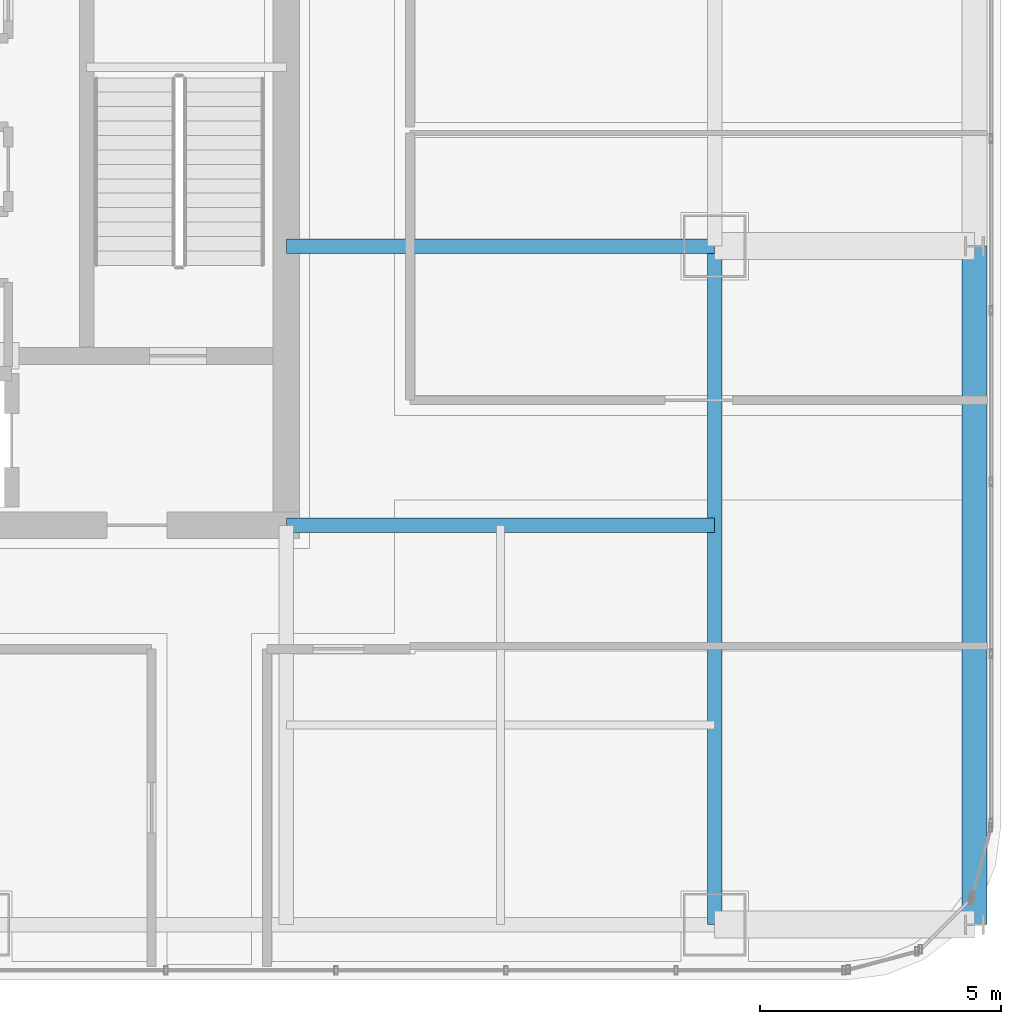
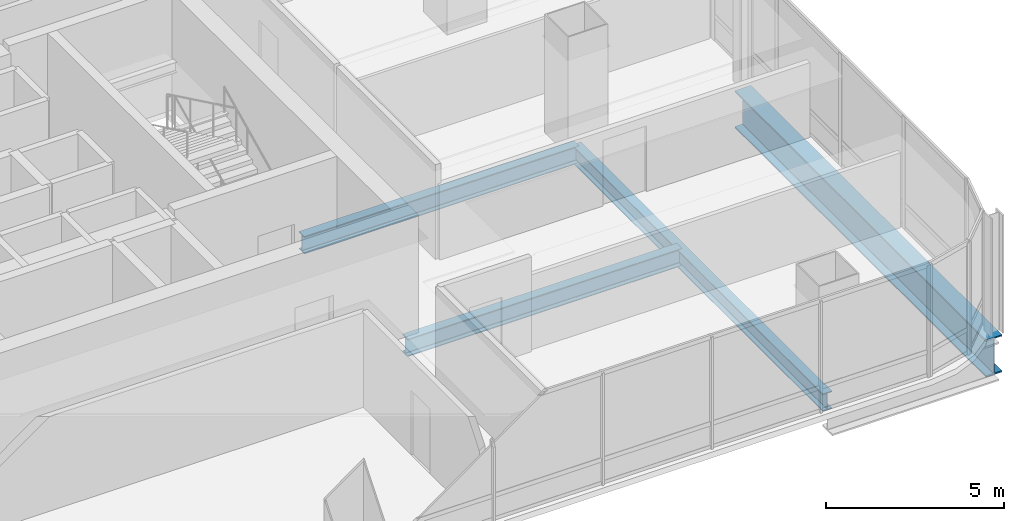
# One storey, part 16 of 42: 4 beams.
"""IFC4 building model written with IfcOpenShell, lengths in metres."""

from ifc_helpers import new_model, si_unit, direction, frame, origin, origin_2d, place, context, subcontext, project, spatial, i_section, extrude, material, material_profile, profile_set, type_object, element, save


model = new_model("IFC4")

# Units and contexts
model_context = context("Model", 3, precision=1e-05, world=origin(), true_north=direction((0.0, 1.0)))
body_context = subcontext(model_context, "Body", "Model", "MODEL_VIEW")
ifc_project = project(units=[si_unit("LENGTHUNIT", "METRE"), si_unit("AREAUNIT", "SQUARE_METRE"), si_unit("VOLUMEUNIT", "CUBIC_METRE"), si_unit("PLANEANGLEUNIT", "RADIAN"), si_unit("MASSUNIT", "GRAM", prefix="KILO")], contexts=[model_context])

# Site, building, storey
site_placement = place(None, origin())
site = spatial("IfcSite", under=ifc_project, at=site_placement, CompositionType="ELEMENT")
building_placement = place(site_placement, origin())
building = spatial("IfcBuilding", under=site, at=building_placement, Name="Punatoya Terracotta Tower", CompositionType="ELEMENT")
storey_placement = place(building_placement, frame((0.0, 0.0, 255.449951171875)))
storey = spatial("IfcBuildingStorey", under=building, at=storey_placement, Name="L60", CompositionType="ELEMENT", Elevation=255.449951171875)

# Beams
ifc_material_1 = material(Name="Steel S355", Category="steel")
ifc_material_profile_1 = material_profile(ifc_material_1, i_section(OverallWidth=0.300048828125, OverallDepth=0.60009765625, WebThickness=0.015380859375, FlangeThickness=0.030029296875, FilletRadius=0.01806640625, at=origin_2d()))
ifc_profile_set_1 = profile_set([ifc_material_profile_1], Name="Steel S355")
beam_type_1 = type_object("IfcBeamType", Name="BM-PRI-600", PredefinedType="BEAM", material=ifc_profile_set_1)
beam_1_placement = place(storey_placement, frame((19.10009765625, -17.5, -0.5), z_axis=(0.0, 1.0, 0.0), x_axis=(-1.0, 0.0, 0.0)))
element("IfcBeam", 1, at=beam_1_placement, inside=storey, type_object=beam_type_1, Name="BM-L60-RG-E1", PredefinedType="BEAM", context=body_context, shape_type="SweptSolid", body=[
    extrude(i_section(OverallWidth=0.300048828125, OverallDepth=0.60009765625, WebThickness=0.015380859375, FlangeThickness=0.030029296875, FilletRadius=0.01806640625, at=origin_2d()), origin(), (0.0, 0.0, 1.0), 14.10009765625),
])
for number, where, z_axis, x_axis, name in (
    (2, (10.199951171875, -9.199951171875, -0.5), (1.0, 0.0, 0.0), (0.0, 1.0, 0.0), "BM-L60-PR-ES"),
    (3, (10.199951171875, -3.39990234375, -0.5), (1.0, 0.0, 0.0), (0.0, 1.0, 0.0), "BM-L60-PR-ED"),
):
    element("IfcBeam", number, at=place(storey_placement, frame(where, z_axis=z_axis, x_axis=x_axis)), inside=storey, type_object=beam_type_1, Name=name, PredefinedType="BEAM", context=body_context, shape_type="SweptSolid", body=[
        extrude(i_section(OverallWidth=0.300048828125, OverallDepth=0.60009765625, WebThickness=0.015380859375, FlangeThickness=0.030029296875, FilletRadius=0.01806640625, at=origin_2d()), origin(), (0.0, 0.0, 1.0), 8.900146484375),
    ])
ifc_material_2 = material(Name="Steel S460", Category="steel")
ifc_material_profile_2 = material_profile(ifc_material_2, i_section(OverallWidth=0.52001953125, OverallDepth=1.280029296875, WebThickness=0.031982421875, FlangeThickness=0.050048828125, FilletRadius=0.01806640625, at=origin_2d()))
ifc_profile_set_2 = profile_set([ifc_material_profile_2], Name="Steel S460")
beam_type_2 = type_object("IfcBeamType", Name="BM-TG-NCK", PredefinedType="BEAM", material=ifc_profile_set_2)
beam_2_placement = place(storey_placement, frame((24.5, -17.5, -0.83984375), z_axis=(0.0, 1.0, 0.0), x_axis=(-1.0, 0.0, 0.0)))
element("IfcBeam", 4, at=beam_2_placement, inside=storey, type_object=beam_type_2, Name="BM-L60-PER-E1", PredefinedType="BEAM", context=body_context, shape_type="SweptSolid", body=[
    extrude(i_section(OverallWidth=0.52001953125, OverallDepth=1.280029296875, WebThickness=0.031982421875, FlangeThickness=0.050048828125, FilletRadius=0.01806640625, at=origin_2d()), origin(), (0.0, 0.0, 1.0), 14.10009765625),
])

save(model, "model.ifc")
